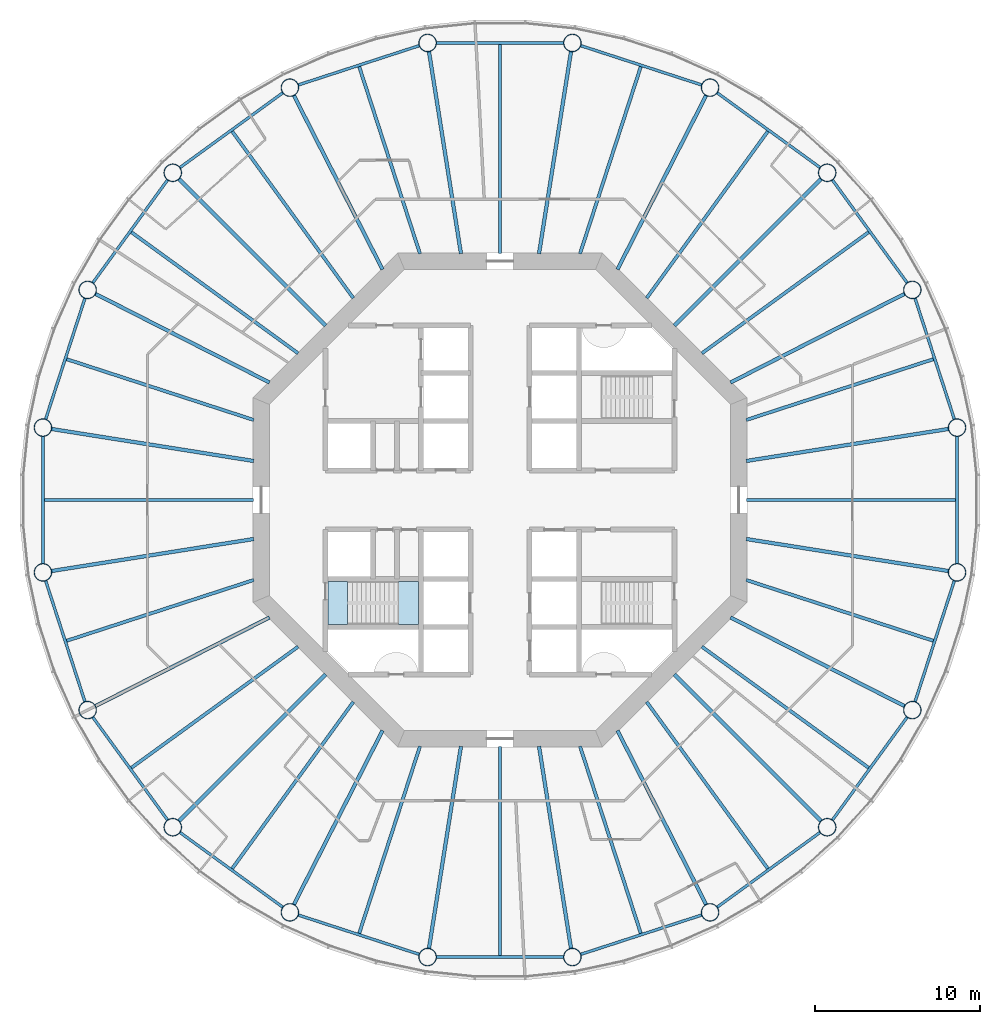
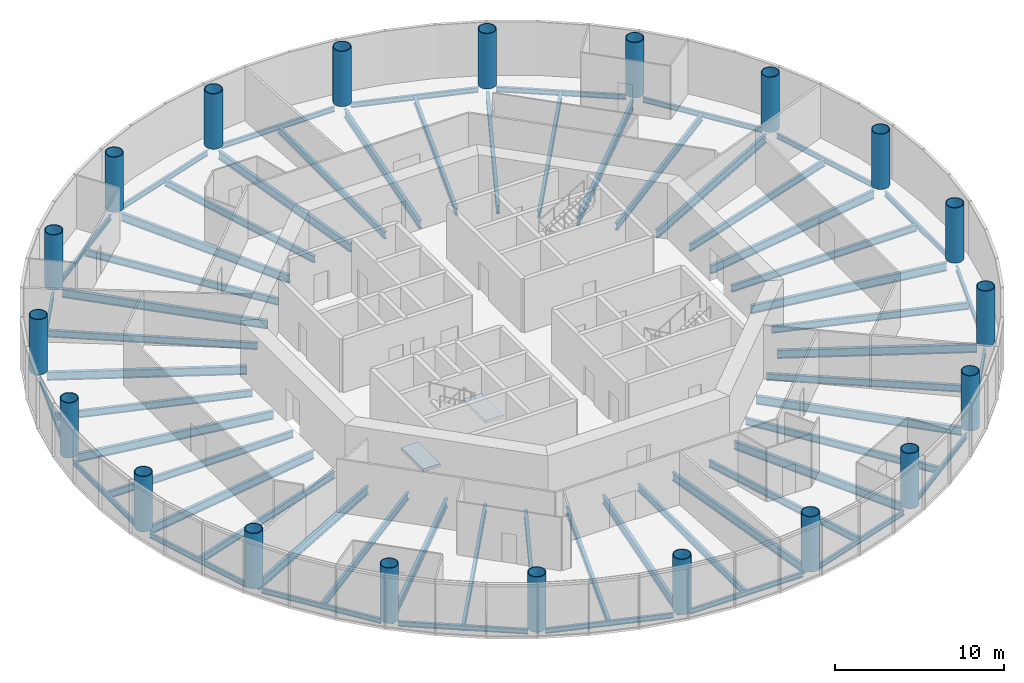
# One storey, part 1 of 13: 60 beams, 20 columns, 2 slabs, 1 element without a shape of its own.
"""IFC4 building model written with IfcOpenShell, lengths in metres."""

from ifc_helpers import new_model, si_unit, direction, frame, origin, origin_2d, place, context, subcontext, project, spatial, polyline, circle, hollow_circle, i_section, outline, extrude, material, layer, layer_set, material_profile, profile_set, type_object, element, aggregate, save


model = new_model("IFC4")

# Units and contexts
model_context = context("Model", 3, precision=1e-05, world=origin(), true_north=direction((0.0, 1.0)))
body_context = subcontext(model_context, "Body", "Model", "MODEL_VIEW")
ifc_project = project(units=[si_unit("LENGTHUNIT", "METRE"), si_unit("AREAUNIT", "SQUARE_METRE"), si_unit("VOLUMEUNIT", "CUBIC_METRE"), si_unit("PLANEANGLEUNIT", "RADIAN"), si_unit("MASSUNIT", "GRAM", prefix="KILO")], contexts=[model_context])

# Site, building, storey
site_placement = place(None, origin())
site = spatial("IfcSite", under=ifc_project, at=site_placement, CompositionType="ELEMENT")
building_placement = place(site_placement, origin())
building = spatial("IfcBuilding", under=site, at=building_placement, Name="Entoto Ring Tower", CompositionType="ELEMENT")
storey_placement = place(building_placement, frame((0.0, 0.0, 184.0)))
storey = spatial("IfcBuildingStorey", under=building, at=storey_placement, Name="L42", CompositionType="ELEMENT", Elevation=184.0)

# Columns
ifc_material_1 = material(Name="Steel S355", Category="steel")
ifc_material_profile_1 = material_profile(ifc_material_1, hollow_circle(Radius=0.550048828125, WallThickness=0.050048828125, at=origin_2d()), Name="CHS 1100 x 50")
ifc_material_2 = material(Name="Concrete C60/75", Category="concrete")
ifc_material_profile_2 = material_profile(ifc_material_2, circle(Radius=0.5, at=origin_2d()), Name="Concrete C60/75 infill")
ifc_profile_set_1 = profile_set([ifc_material_profile_1, ifc_material_profile_2], Name="Steel S355")
column_type = type_object("IfcColumnType", Name="Ring column 1100 x 50 concrete-filled tube", PredefinedType="COLUMN", material=ifc_profile_set_1)
for number, where, z_axis, x_axis, name in (
    (1, (117.754150390625, 84.395751953125, 0.0), (0.0, 0.0, 1.0), (1.0, 0.0, 0.0), "RC3 R01"),
    (2, (115.037353515625, 92.757080078125, 0.0), (0.0, 0.0, 1.0), (1.0, 0.0, 0.0), "RC3 R02"),
    (3, (109.86962890625, 99.86962890625, 0.0), (0.0, 0.0, 1.0), (1.0, 0.0, 0.0), "RC3 R03"),
    (4, (102.757080078125, 105.037353515625, 0.0), (0.0, 0.0, 1.0), (1.0, 0.0, 0.0), "RC3 R04"),
    (5, (94.395751953125, 107.754150390625, 0.0), (0.0, 0.0, 1.0), (1.0, 0.0, 0.0), "RC3 R05"),
    (6, (85.604248046875, 107.754150390625, 0.0), (0.0, 0.0, 1.0), (1.0, 0.0, 0.0), "RC3 R06"),
    (7, (77.242919921875, 105.037353515625, 0.0), (0.0, 0.0, 1.0), (1.0, 0.0, 0.0), "RC3 R07"),
    (8, (70.13037109375, 99.86962890625, 0.0), (0.0, 0.0, 1.0), (1.0, 0.0, 0.0), "RC3 R08"),
    (9, (64.962646484375, 92.757080078125, 0.0), (0.0, 0.0, 1.0), (1.0, 0.0, 0.0), "RC3 R09"),
    (10, (62.245849609375, 84.395751953125, 0.0), (0.0, 0.0, 1.0), (1.0, 0.0, 0.0), "RC3 R10"),
    (11, (62.245849609375, 75.604248046875, 0.0), (0.0, 0.0, 1.0), (1.0, 0.0, 0.0), "RC3 R11"),
    (12, (64.962646484375, 67.242919921875, 0.0), (0.0, 0.0, 1.0), (1.0, 0.0, 0.0), "RC3 R12"),
    (13, (70.13037109375, 60.13037109375, 0.0), (0.0, 0.0, 1.0), (1.0, 0.0, 0.0), "RC3 R13"),
    (14, (77.242919921875, 54.962646484375, 0.0), (0.0, 0.0, 1.0), (1.0, 0.0, 0.0), "RC3 R14"),
    (15, (85.604248046875, 52.245849609375, 0.0), (0.0, 0.0, 1.0), (1.0, 0.0, 0.0), "RC3 R15"),
    (16, (94.395751953125, 52.245849609375, 0.0), (0.0, 0.0, 1.0), (1.0, 0.0, 0.0), "RC3 R16"),
    (17, (102.757080078125, 54.962646484375, 0.0), (0.0, 0.0, 1.0), (1.0, 0.0, 0.0), "RC3 R17"),
    (18, (109.86962890625, 60.13037109375, 0.0), (0.0, 0.0, 1.0), (1.0, 0.0, 0.0), "RC3 R18"),
    (19, (115.037353515625, 67.242919921875, 0.0), (0.0, 0.0, 1.0), (1.0, 0.0, 0.0), "RC3 R19"),
    (20, (117.754150390625, 75.604248046875, 0.0), (0.0, 0.0, 1.0), (1.0, 0.0, 0.0), "RC3 R20"),
):
    element("IfcColumn", number, at=place(storey_placement, frame(where, z_axis=z_axis, x_axis=x_axis)), inside=storey, type_object=column_type, Name=name, PredefinedType="COLUMN", context=body_context, shape_type="SweptSolid", body=[
        extrude(hollow_circle(Radius=0.550048828125, WallThickness=0.050048828125, at=origin_2d()), origin(), (0.0, 0.0, 1.0), 4.0),
    ])

# Beams
ifc_material_3 = material(Name="Steel S355", Category="steel")
ifc_material_profile_3 = material_profile(ifc_material_3, i_section(OverallWidth=0.169921875, OverallDepth=0.360107421875, WebThickness=0.008056640625, FlangeThickness=0.0126953125, FilletRadius=0.01806640625, at=origin_2d()), Name="IPE 360")
ifc_profile_set_2 = profile_set([ifc_material_profile_3], Name="Steel S355")
beam_type_1 = type_object("IfcBeamType", Name="Edge beam IPE 360", PredefinedType="SPANDREL", material=ifc_profile_set_2)
for number, where, z_axis, x_axis, name in (
    (21, (117.59228515625, 84.8935546875, -0.330078125), (-0.309012656105, 0.951057925874, 0.0), (-0.951057925874, -0.309012656105, 0.0), "Edge beam L42 01"),
    (22, (114.729736328125, 93.180419921875, -0.330078125), (-0.587791153253, 0.809012707043, 0.0), (-0.809012707043, -0.587791153253, 0.0), "Edge beam L42 02"),
    (23, (109.4462890625, 100.17724609375, -0.330078125), (-0.809012707043, 0.587791153253, 0.0), (-0.587791153253, -0.809012707043, 0.0), "Edge beam L42 03"),
    (24, (102.259521484375, 105.198974609375, -0.330078125), (-0.951057925874, 0.309012656105, 0.0), (-0.309012656105, -0.951057925874, 0.0), "Edge beam L42 04"),
    (25, (93.87255859375, 107.754150390625, -0.330078125), (-1.0, 0.0, 0.0), (0.0, -1.0, 0.0), "Edge beam L42 05"),
    (26, (85.1064453125, 107.59228515625, -0.330078125), (-0.951057925874, -0.309012656105, 0.0), (0.309012656105, -0.951057925874, 0.0), "Edge beam L42 06"),
    (27, (76.819580078125, 104.729736328125, -0.330078125), (-0.809012707043, -0.587791153253, 0.0), (0.587791153253, -0.809012707043, 0.0), "Edge beam L42 07"),
    (28, (69.82275390625, 99.4462890625, -0.330078125), (-0.587791153253, -0.809012707043, 0.0), (0.809012707043, -0.587791153253, 0.0), "Edge beam L42 08"),
    (29, (64.801025390625, 92.259521484375, -0.330078125), (-0.309012656105, -0.951057925874, 0.0), (0.951057925874, -0.309012656105, 0.0), "Edge beam L42 09"),
    (30, (62.245849609375, 83.87255859375, -0.330078125), (0.0, -1.0, 0.0), (1.0, 0.0, 0.0), "Edge beam L42 10"),
    (31, (62.40771484375, 75.1064453125, -0.330078125), (0.309012656105, -0.951057925874, 0.0), (0.951057925874, 0.309012656105, 0.0), "Edge beam L42 11"),
    (32, (65.270263671875, 66.819580078125, -0.330078125), (0.587791153253, -0.809012707043, 0.0), (0.809012707043, 0.587791153253, 0.0), "Edge beam L42 12"),
    (33, (70.5537109375, 59.82275390625, -0.330078125), (0.809012707043, -0.587791153253, 0.0), (0.587791153253, 0.809012707043, 0.0), "Edge beam L42 13"),
    (34, (77.740478515625, 54.801025390625, -0.330078125), (0.951057925874, -0.309012656105, 0.0), (0.309012656105, 0.951057925874, 0.0), "Edge beam L42 14"),
    (35, (86.12744140625, 52.245849609375, -0.330078125), (1.0, 0.0, 0.0), (0.0, 1.0, 0.0), "Edge beam L42 15"),
    (36, (94.8935546875, 52.40771484375, -0.330078125), (0.951057925874, 0.309012656105, 0.0), (-0.309012656105, 0.951057925874, 0.0), "Edge beam L42 16"),
    (37, (103.180419921875, 55.270263671875, -0.330078125), (0.809012707043, 0.587791153253, 0.0), (-0.587791153253, 0.809012707043, 0.0), "Edge beam L42 17"),
    (38, (110.17724609375, 60.5537109375, -0.330078125), (0.587791153253, 0.809012707043, 0.0), (-0.809012707043, 0.587791153253, 0.0), "Edge beam L42 18"),
    (39, (115.198974609375, 67.740478515625, -0.330078125), (0.309012656105, 0.951057925874, 0.0), (-0.951057925874, 0.309012656105, 0.0), "Edge beam L42 19"),
    (40, (117.754150390625, 76.12744140625, -0.330078125), (0.0, 1.0, 0.0), (-1.0, 0.0, 0.0), "Edge beam L42 20"),
):
    element("IfcBeam", number, at=place(storey_placement, frame(where, z_axis=z_axis, x_axis=x_axis)), inside=storey, type_object=beam_type_1, Name=name, PredefinedType="SPANDREL", context=body_context, shape_type="SweptSolid", body=[
        extrude(i_section(OverallWidth=0.169921875, OverallDepth=0.360107421875, WebThickness=0.008056640625, FlangeThickness=0.0126953125, FilletRadius=0.01806640625, at=origin_2d()), origin(), (0.0, 0.0, 1.0), 7.7451171875),
    ])
ifc_material_4 = material(Name="Steel S355", Category="steel")
ifc_material_profile_4 = material_profile(ifc_material_4, i_section(OverallWidth=0.219970703125, OverallDepth=0.60009765625, WebThickness=0.011962890625, FlangeThickness=0.01904296875, FilletRadius=0.02392578125, at=origin_2d()), Name="IPE 600")
ifc_profile_set_3 = profile_set([ifc_material_profile_4], Name="Steel S355")
beam_type_2 = type_object("IfcBeamType", Name="Primary floor beam IPE 600", PredefinedType="BEAM", material=ifc_profile_set_3)
beam_1_placement = place(storey_placement, frame((104.963134765625, 82.369873046875, -0.449951171875), z_axis=(0.987687213789, 0.156441579247, 0.0), x_axis=(-0.156441579247, 0.987687213789, 0.0)))
element("IfcBeam", 41, at=beam_1_placement, inside=storey, type_object=beam_type_2, Name="Primary L42 R01", PredefinedType="BEAM", context=body_context, shape_type="SweptSolid", body=[
    extrude(i_section(OverallWidth=0.219970703125, OverallDepth=0.60009765625, WebThickness=0.011962890625, FlangeThickness=0.01904296875, FilletRadius=0.02392578125, at=origin_2d()), origin(), (0.0, 0.0, 1.0), 12.431640625),
])
beam_2_placement = place(storey_placement, frame((104.003173828125, 87.135009765625, -0.449951171875), z_axis=(0.891010444609, 0.453982805399, 0.0), x_axis=(-0.453982805399, 0.891010444609, 0.0)))
element("IfcBeam", 42, at=beam_2_placement, inside=storey, type_object=beam_type_2, Name="Primary L42 R02", PredefinedType="BEAM", context=body_context, shape_type="SweptSolid", body=[
    extrude(i_section(OverallWidth=0.219970703125, OverallDepth=0.60009765625, WebThickness=0.011962890625, FlangeThickness=0.01904296875, FilletRadius=0.02392578125, at=origin_2d()), origin(), (0.0, 0.0, 1.0), 11.864990234375),
])
beam_3_placement = place(storey_placement, frame((100.592529296875, 90.592529296875, -0.449951171875), z_axis=(0.707106781187, 0.707106781187, 0.0), x_axis=(-0.707106781187, 0.707106781187, 0.0)))
element("IfcBeam", 43, at=beam_3_placement, inside=storey, type_object=beam_type_2, Name="Primary L42 R03", PredefinedType="BEAM", context=body_context, shape_type="SweptSolid", body=[
    extrude(i_section(OverallWidth=0.219970703125, OverallDepth=0.60009765625, WebThickness=0.011962890625, FlangeThickness=0.01904296875, FilletRadius=0.02392578125, at=origin_2d()), origin(), (0.0, 0.0, 1.0), 12.601318359375),
])
beam_4_placement = place(storey_placement, frame((97.135009765625, 94.003173828125, -0.449951171875), z_axis=(0.453982805399, 0.891010444609, 0.0), x_axis=(-0.891010444609, 0.453982805399, 0.0)))
element("IfcBeam", 44, at=beam_4_placement, inside=storey, type_object=beam_type_2, Name="Primary L42 R04", PredefinedType="BEAM", context=body_context, shape_type="SweptSolid", body=[
    extrude(i_section(OverallWidth=0.219970703125, OverallDepth=0.60009765625, WebThickness=0.011962890625, FlangeThickness=0.01904296875, FilletRadius=0.02392578125, at=origin_2d()), origin(), (0.0, 0.0, 1.0), 11.864990234375),
])
for number, where, z_axis, x_axis, name in (
    (45, (92.369873046875, 94.963134765625, -0.449951171875), (0.156441579247, 0.987687213789, 0.0), (-0.987687213789, 0.156441579247, 0.0), "Primary L42 R05"),
    (46, (87.630126953125, 94.963134765625, -0.449951171875), (-0.156441579247, 0.987687213789, 0.0), (-0.987687213789, -0.156441579247, 0.0), "Primary L42 R06"),
):
    element("IfcBeam", number, at=place(storey_placement, frame(where, z_axis=z_axis, x_axis=x_axis)), inside=storey, type_object=beam_type_2, Name=name, PredefinedType="BEAM", context=body_context, shape_type="SweptSolid", body=[
        extrude(i_section(OverallWidth=0.219970703125, OverallDepth=0.60009765625, WebThickness=0.011962890625, FlangeThickness=0.01904296875, FilletRadius=0.02392578125, at=origin_2d()), origin(), (0.0, 0.0, 1.0), 12.431640625),
    ])
beam_5_placement = place(storey_placement, frame((82.864990234375, 94.003173828125, -0.449951171875), z_axis=(-0.453982805399, 0.891010444609, 0.0), x_axis=(-0.891010444609, -0.453982805399, 0.0)))
element("IfcBeam", 47, at=beam_5_placement, inside=storey, type_object=beam_type_2, Name="Primary L42 R07", PredefinedType="BEAM", context=body_context, shape_type="SweptSolid", body=[
    extrude(i_section(OverallWidth=0.219970703125, OverallDepth=0.60009765625, WebThickness=0.011962890625, FlangeThickness=0.01904296875, FilletRadius=0.02392578125, at=origin_2d()), origin(), (0.0, 0.0, 1.0), 11.864990234375),
])
beam_6_placement = place(storey_placement, frame((79.407470703125, 90.592529296875, -0.449951171875), z_axis=(-0.707106781187, 0.707106781187, 0.0), x_axis=(-0.707106781187, -0.707106781187, 0.0)))
element("IfcBeam", 48, at=beam_6_placement, inside=storey, type_object=beam_type_2, Name="Primary L42 R08", PredefinedType="BEAM", context=body_context, shape_type="SweptSolid", body=[
    extrude(i_section(OverallWidth=0.219970703125, OverallDepth=0.60009765625, WebThickness=0.011962890625, FlangeThickness=0.01904296875, FilletRadius=0.02392578125, at=origin_2d()), origin(), (0.0, 0.0, 1.0), 12.601318359375),
])
beam_7_placement = place(storey_placement, frame((75.996826171875, 87.135009765625, -0.449951171875), z_axis=(-0.891010444609, 0.453982805399, 0.0), x_axis=(-0.453982805399, -0.891010444609, 0.0)))
element("IfcBeam", 49, at=beam_7_placement, inside=storey, type_object=beam_type_2, Name="Primary L42 R09", PredefinedType="BEAM", context=body_context, shape_type="SweptSolid", body=[
    extrude(i_section(OverallWidth=0.219970703125, OverallDepth=0.60009765625, WebThickness=0.011962890625, FlangeThickness=0.01904296875, FilletRadius=0.02392578125, at=origin_2d()), origin(), (0.0, 0.0, 1.0), 11.864990234375),
])
for number, where, z_axis, x_axis, name in (
    (50, (75.036865234375, 82.369873046875, -0.449951171875), (-0.987687213789, 0.156441579247, 0.0), (-0.156441579247, -0.987687213789, 0.0), "Primary L42 R10"),
    (51, (75.036865234375, 77.630126953125, -0.449951171875), (-0.987687213789, -0.156441579247, 0.0), (0.156441579247, -0.987687213789, 0.0), "Primary L42 R11"),
):
    element("IfcBeam", number, at=place(storey_placement, frame(where, z_axis=z_axis, x_axis=x_axis)), inside=storey, type_object=beam_type_2, Name=name, PredefinedType="BEAM", context=body_context, shape_type="SweptSolid", body=[
        extrude(i_section(OverallWidth=0.219970703125, OverallDepth=0.60009765625, WebThickness=0.011962890625, FlangeThickness=0.01904296875, FilletRadius=0.02392578125, at=origin_2d()), origin(), (0.0, 0.0, 1.0), 12.431640625),
    ])
beam_8_placement = place(storey_placement, frame((75.996826171875, 72.864990234375, -0.449951171875), z_axis=(-0.891010444609, -0.453982805399, 0.0), x_axis=(0.453982805399, -0.891010444609, 0.0)))
element("IfcBeam", 52, at=beam_8_placement, inside=storey, type_object=beam_type_2, Name="Primary L42 R12", PredefinedType="BEAM", context=body_context, shape_type="SweptSolid", body=[
    extrude(i_section(OverallWidth=0.219970703125, OverallDepth=0.60009765625, WebThickness=0.011962890625, FlangeThickness=0.01904296875, FilletRadius=0.02392578125, at=origin_2d()), origin(), (0.0, 0.0, 1.0), 11.864990234375),
])
beam_9_placement = place(storey_placement, frame((79.407470703125, 69.407470703125, -0.449951171875), z_axis=(-0.707106781187, -0.707106781187, 0.0), x_axis=(0.707106781187, -0.707106781187, 0.0)))
element("IfcBeam", 53, at=beam_9_placement, inside=storey, type_object=beam_type_2, Name="Primary L42 R13", PredefinedType="BEAM", context=body_context, shape_type="SweptSolid", body=[
    extrude(i_section(OverallWidth=0.219970703125, OverallDepth=0.60009765625, WebThickness=0.011962890625, FlangeThickness=0.01904296875, FilletRadius=0.02392578125, at=origin_2d()), origin(), (0.0, 0.0, 1.0), 12.601318359375),
])
beam_10_placement = place(storey_placement, frame((82.864990234375, 65.996826171875, -0.449951171875), z_axis=(-0.453982805399, -0.891010444609, 0.0), x_axis=(0.891010444609, -0.453982805399, 0.0)))
element("IfcBeam", 54, at=beam_10_placement, inside=storey, type_object=beam_type_2, Name="Primary L42 R14", PredefinedType="BEAM", context=body_context, shape_type="SweptSolid", body=[
    extrude(i_section(OverallWidth=0.219970703125, OverallDepth=0.60009765625, WebThickness=0.011962890625, FlangeThickness=0.01904296875, FilletRadius=0.02392578125, at=origin_2d()), origin(), (0.0, 0.0, 1.0), 11.864990234375),
])
for number, where, z_axis, x_axis, name in (
    (55, (87.630126953125, 65.036865234375, -0.449951171875), (-0.156441579247, -0.987687213789, 0.0), (0.987687213789, -0.156441579247, 0.0), "Primary L42 R15"),
    (56, (92.369873046875, 65.036865234375, -0.449951171875), (0.156441579247, -0.987687213789, 0.0), (0.987687213789, 0.156441579247, 0.0), "Primary L42 R16"),
):
    element("IfcBeam", number, at=place(storey_placement, frame(where, z_axis=z_axis, x_axis=x_axis)), inside=storey, type_object=beam_type_2, Name=name, PredefinedType="BEAM", context=body_context, shape_type="SweptSolid", body=[
        extrude(i_section(OverallWidth=0.219970703125, OverallDepth=0.60009765625, WebThickness=0.011962890625, FlangeThickness=0.01904296875, FilletRadius=0.02392578125, at=origin_2d()), origin(), (0.0, 0.0, 1.0), 12.431640625),
    ])
beam_11_placement = place(storey_placement, frame((97.135009765625, 65.996826171875, -0.449951171875), z_axis=(0.453982805399, -0.891010444609, 0.0), x_axis=(0.891010444609, 0.453982805399, 0.0)))
element("IfcBeam", 57, at=beam_11_placement, inside=storey, type_object=beam_type_2, Name="Primary L42 R17", PredefinedType="BEAM", context=body_context, shape_type="SweptSolid", body=[
    extrude(i_section(OverallWidth=0.219970703125, OverallDepth=0.60009765625, WebThickness=0.011962890625, FlangeThickness=0.01904296875, FilletRadius=0.02392578125, at=origin_2d()), origin(), (0.0, 0.0, 1.0), 11.864990234375),
])
beam_12_placement = place(storey_placement, frame((100.592529296875, 69.407470703125, -0.449951171875), z_axis=(0.707106781187, -0.707106781187, 0.0), x_axis=(0.707106781187, 0.707106781187, 0.0)))
element("IfcBeam", 58, at=beam_12_placement, inside=storey, type_object=beam_type_2, Name="Primary L42 R18", PredefinedType="BEAM", context=body_context, shape_type="SweptSolid", body=[
    extrude(i_section(OverallWidth=0.219970703125, OverallDepth=0.60009765625, WebThickness=0.011962890625, FlangeThickness=0.01904296875, FilletRadius=0.02392578125, at=origin_2d()), origin(), (0.0, 0.0, 1.0), 12.601318359375),
])
beam_13_placement = place(storey_placement, frame((104.003173828125, 72.864990234375, -0.449951171875), z_axis=(0.891010444609, -0.453982805399, 0.0), x_axis=(0.453982805399, 0.891010444609, 0.0)))
element("IfcBeam", 59, at=beam_13_placement, inside=storey, type_object=beam_type_2, Name="Primary L42 R19", PredefinedType="BEAM", context=body_context, shape_type="SweptSolid", body=[
    extrude(i_section(OverallWidth=0.219970703125, OverallDepth=0.60009765625, WebThickness=0.011962890625, FlangeThickness=0.01904296875, FilletRadius=0.02392578125, at=origin_2d()), origin(), (0.0, 0.0, 1.0), 11.864990234375),
])
beam_14_placement = place(storey_placement, frame((104.963134765625, 77.630126953125, -0.449951171875), z_axis=(0.987687213789, -0.156441579247, 0.0), x_axis=(0.156441579247, 0.987687213789, 0.0)))
element("IfcBeam", 60, at=beam_14_placement, inside=storey, type_object=beam_type_2, Name="Primary L42 R20", PredefinedType="BEAM", context=body_context, shape_type="SweptSolid", body=[
    extrude(i_section(OverallWidth=0.219970703125, OverallDepth=0.60009765625, WebThickness=0.011962890625, FlangeThickness=0.01904296875, FilletRadius=0.02392578125, at=origin_2d()), origin(), (0.0, 0.0, 1.0), 12.431640625),
])
ifc_material_5 = material(Name="Steel S355", Category="steel")
ifc_material_profile_5 = material_profile(ifc_material_5, i_section(OverallWidth=0.199951171875, OverallDepth=0.5, WebThickness=0.01025390625, FlangeThickness=0.01611328125, FilletRadius=0.02099609375, at=origin_2d()), Name="IPE 500")
ifc_profile_set_4 = profile_set([ifc_material_profile_5], Name="Steel S355")
beam_type_3 = type_object("IfcBeamType", Name="Secondary floor beam IPE 500", PredefinedType="JOIST", material=ifc_profile_set_4)
beam_15_placement = place(storey_placement, frame((104.9501953125, 84.857666015625, -0.39990234375), z_axis=(0.951056587506, 0.30901677521, 0.0), x_axis=(-0.30901677521, 0.951056587506, 0.0)))
element("IfcBeam", 61, at=beam_15_placement, inside=storey, type_object=beam_type_3, Name="Secondary beam L42 01", PredefinedType="JOIST", context=body_context, shape_type="SweptSolid", body=[
    extrude(i_section(OverallWidth=0.199951171875, OverallDepth=0.5, WebThickness=0.01025390625, FlangeThickness=0.01611328125, FilletRadius=0.02099609375, at=origin_2d()), origin(), (0.0, 0.0, 1.0), 11.94970703125),
])
for number, where, z_axis, x_axis, name in (
    (62, (102.257568359375, 88.905517578125, -0.39990234375), (0.80901431041, 0.587788946436, 0.0), (-0.587788946436, 0.80901431041, 0.0), "Secondary beam L42 02"),
    (63, (98.905517578125, 92.257568359375, -0.39990234375), (0.587788946436, 0.80901431041, 0.0), (-0.80901431041, 0.587788946436, 0.0), "Secondary beam L42 03"),
):
    element("IfcBeam", number, at=place(storey_placement, frame(where, z_axis=z_axis, x_axis=x_axis)), inside=storey, type_object=beam_type_3, Name=name, PredefinedType="JOIST", context=body_context, shape_type="SweptSolid", body=[
        extrude(i_section(OverallWidth=0.199951171875, OverallDepth=0.5, WebThickness=0.01025390625, FlangeThickness=0.01611328125, FilletRadius=0.02099609375, at=origin_2d()), origin(), (0.0, 0.0, 1.0), 12.51806640625),
    ])
beam_16_placement = place(storey_placement, frame((94.857666015625, 94.9501953125, -0.39990234375), z_axis=(0.30901677521, 0.951056587506, 0.0), x_axis=(-0.951056587506, 0.30901677521, 0.0)))
element("IfcBeam", 64, at=beam_16_placement, inside=storey, type_object=beam_type_3, Name="Secondary beam L42 04", PredefinedType="JOIST", context=body_context, shape_type="SweptSolid", body=[
    extrude(i_section(OverallWidth=0.199951171875, OverallDepth=0.5, WebThickness=0.01025390625, FlangeThickness=0.01611328125, FilletRadius=0.02099609375, at=origin_2d()), origin(), (0.0, 0.0, 1.0), 11.94970703125),
])
beam_17_placement = place(storey_placement, frame((90.0, 94.97998046875, -0.39990234375), z_axis=(0.0, 1.0, 0.0), x_axis=(-1.0, 0.0, 0.0)))
element("IfcBeam", 65, at=beam_17_placement, inside=storey, type_object=beam_type_3, Name="Secondary beam L42 05", PredefinedType="JOIST", context=body_context, shape_type="SweptSolid", body=[
    extrude(i_section(OverallWidth=0.199951171875, OverallDepth=0.5, WebThickness=0.01025390625, FlangeThickness=0.01611328125, FilletRadius=0.02099609375, at=origin_2d()), origin(), (0.0, 0.0, 1.0), 12.68896484375),
])
beam_18_placement = place(storey_placement, frame((85.142333984375, 94.9501953125, -0.39990234375), z_axis=(-0.30901677521, 0.951056587506, 0.0), x_axis=(-0.951056587506, -0.30901677521, 0.0)))
element("IfcBeam", 66, at=beam_18_placement, inside=storey, type_object=beam_type_3, Name="Secondary beam L42 06", PredefinedType="JOIST", context=body_context, shape_type="SweptSolid", body=[
    extrude(i_section(OverallWidth=0.199951171875, OverallDepth=0.5, WebThickness=0.01025390625, FlangeThickness=0.01611328125, FilletRadius=0.02099609375, at=origin_2d()), origin(), (0.0, 0.0, 1.0), 11.94970703125),
])
for number, where, z_axis, x_axis, name in (
    (67, (81.094482421875, 92.257568359375, -0.39990234375), (-0.587788946436, 0.80901431041, 0.0), (-0.80901431041, -0.587788946436, 0.0), "Secondary beam L42 07"),
    (68, (77.742431640625, 88.905517578125, -0.39990234375), (-0.80901431041, 0.587788946436, 0.0), (-0.587788946436, -0.80901431041, 0.0), "Secondary beam L42 08"),
):
    element("IfcBeam", number, at=place(storey_placement, frame(where, z_axis=z_axis, x_axis=x_axis)), inside=storey, type_object=beam_type_3, Name=name, PredefinedType="JOIST", context=body_context, shape_type="SweptSolid", body=[
        extrude(i_section(OverallWidth=0.199951171875, OverallDepth=0.5, WebThickness=0.01025390625, FlangeThickness=0.01611328125, FilletRadius=0.02099609375, at=origin_2d()), origin(), (0.0, 0.0, 1.0), 12.51806640625),
    ])
beam_19_placement = place(storey_placement, frame((75.0498046875, 84.857666015625, -0.39990234375), z_axis=(-0.951056587506, 0.30901677521, 0.0), x_axis=(-0.30901677521, -0.951056587506, 0.0)))
element("IfcBeam", 69, at=beam_19_placement, inside=storey, type_object=beam_type_3, Name="Secondary beam L42 09", PredefinedType="JOIST", context=body_context, shape_type="SweptSolid", body=[
    extrude(i_section(OverallWidth=0.199951171875, OverallDepth=0.5, WebThickness=0.01025390625, FlangeThickness=0.01611328125, FilletRadius=0.02099609375, at=origin_2d()), origin(), (0.0, 0.0, 1.0), 11.94970703125),
])
beam_20_placement = place(storey_placement, frame((75.02001953125, 80.0, -0.39990234375), z_axis=(-1.0, 0.0, 0.0), x_axis=(0.0, -1.0, 0.0)))
element("IfcBeam", 70, at=beam_20_placement, inside=storey, type_object=beam_type_3, Name="Secondary beam L42 10", PredefinedType="JOIST", context=body_context, shape_type="SweptSolid", body=[
    extrude(i_section(OverallWidth=0.199951171875, OverallDepth=0.5, WebThickness=0.01025390625, FlangeThickness=0.01611328125, FilletRadius=0.02099609375, at=origin_2d()), origin(), (0.0, 0.0, 1.0), 12.68896484375),
])
beam_21_placement = place(storey_placement, frame((75.0498046875, 75.142333984375, -0.39990234375), z_axis=(-0.951056587506, -0.30901677521, 0.0), x_axis=(0.30901677521, -0.951056587506, 0.0)))
element("IfcBeam", 71, at=beam_21_placement, inside=storey, type_object=beam_type_3, Name="Secondary beam L42 11", PredefinedType="JOIST", context=body_context, shape_type="SweptSolid", body=[
    extrude(i_section(OverallWidth=0.199951171875, OverallDepth=0.5, WebThickness=0.01025390625, FlangeThickness=0.01611328125, FilletRadius=0.02099609375, at=origin_2d()), origin(), (0.0, 0.0, 1.0), 11.94970703125),
])
for number, where, z_axis, x_axis, name in (
    (72, (77.742431640625, 71.094482421875, -0.39990234375), (-0.80901431041, -0.587788946436, 0.0), (0.587788946436, -0.80901431041, 0.0), "Secondary beam L42 12"),
    (73, (81.094482421875, 67.742431640625, -0.39990234375), (-0.587788946436, -0.80901431041, 0.0), (0.80901431041, -0.587788946436, 0.0), "Secondary beam L42 13"),
):
    element("IfcBeam", number, at=place(storey_placement, frame(where, z_axis=z_axis, x_axis=x_axis)), inside=storey, type_object=beam_type_3, Name=name, PredefinedType="JOIST", context=body_context, shape_type="SweptSolid", body=[
        extrude(i_section(OverallWidth=0.199951171875, OverallDepth=0.5, WebThickness=0.01025390625, FlangeThickness=0.01611328125, FilletRadius=0.02099609375, at=origin_2d()), origin(), (0.0, 0.0, 1.0), 12.51806640625),
    ])
beam_22_placement = place(storey_placement, frame((85.142333984375, 65.0498046875, -0.39990234375), z_axis=(-0.30901677521, -0.951056587506, 0.0), x_axis=(0.951056587506, -0.30901677521, 0.0)))
element("IfcBeam", 74, at=beam_22_placement, inside=storey, type_object=beam_type_3, Name="Secondary beam L42 14", PredefinedType="JOIST", context=body_context, shape_type="SweptSolid", body=[
    extrude(i_section(OverallWidth=0.199951171875, OverallDepth=0.5, WebThickness=0.01025390625, FlangeThickness=0.01611328125, FilletRadius=0.02099609375, at=origin_2d()), origin(), (0.0, 0.0, 1.0), 11.94970703125),
])
beam_23_placement = place(storey_placement, frame((90.0, 65.02001953125, -0.39990234375), z_axis=(0.0, -1.0, 0.0), x_axis=(1.0, 0.0, 0.0)))
element("IfcBeam", 75, at=beam_23_placement, inside=storey, type_object=beam_type_3, Name="Secondary beam L42 15", PredefinedType="JOIST", context=body_context, shape_type="SweptSolid", body=[
    extrude(i_section(OverallWidth=0.199951171875, OverallDepth=0.5, WebThickness=0.01025390625, FlangeThickness=0.01611328125, FilletRadius=0.02099609375, at=origin_2d()), origin(), (0.0, 0.0, 1.0), 12.68896484375),
])
beam_24_placement = place(storey_placement, frame((94.857666015625, 65.0498046875, -0.39990234375), z_axis=(0.30901677521, -0.951056587506, 0.0), x_axis=(0.951056587506, 0.30901677521, 0.0)))
element("IfcBeam", 76, at=beam_24_placement, inside=storey, type_object=beam_type_3, Name="Secondary beam L42 16", PredefinedType="JOIST", context=body_context, shape_type="SweptSolid", body=[
    extrude(i_section(OverallWidth=0.199951171875, OverallDepth=0.5, WebThickness=0.01025390625, FlangeThickness=0.01611328125, FilletRadius=0.02099609375, at=origin_2d()), origin(), (0.0, 0.0, 1.0), 11.94970703125),
])
for number, where, z_axis, x_axis, name in (
    (77, (98.905517578125, 67.742431640625, -0.39990234375), (0.587788946436, -0.80901431041, 0.0), (0.80901431041, 0.587788946436, 0.0), "Secondary beam L42 17"),
    (78, (102.257568359375, 71.094482421875, -0.39990234375), (0.80901431041, -0.587788946436, 0.0), (0.587788946436, 0.80901431041, 0.0), "Secondary beam L42 18"),
):
    element("IfcBeam", number, at=place(storey_placement, frame(where, z_axis=z_axis, x_axis=x_axis)), inside=storey, type_object=beam_type_3, Name=name, PredefinedType="JOIST", context=body_context, shape_type="SweptSolid", body=[
        extrude(i_section(OverallWidth=0.199951171875, OverallDepth=0.5, WebThickness=0.01025390625, FlangeThickness=0.01611328125, FilletRadius=0.02099609375, at=origin_2d()), origin(), (0.0, 0.0, 1.0), 12.51806640625),
    ])
beam_25_placement = place(storey_placement, frame((104.9501953125, 75.142333984375, -0.39990234375), z_axis=(0.951056587506, -0.30901677521, 0.0), x_axis=(0.30901677521, 0.951056587506, 0.0)))
element("IfcBeam", 79, at=beam_25_placement, inside=storey, type_object=beam_type_3, Name="Secondary beam L42 19", PredefinedType="JOIST", context=body_context, shape_type="SweptSolid", body=[
    extrude(i_section(OverallWidth=0.199951171875, OverallDepth=0.5, WebThickness=0.01025390625, FlangeThickness=0.01611328125, FilletRadius=0.02099609375, at=origin_2d()), origin(), (0.0, 0.0, 1.0), 11.94970703125),
])
beam_26_placement = place(storey_placement, frame((104.97998046875, 80.0, -0.39990234375), z_axis=(1.0, 0.0, 0.0), x_axis=(0.0, 1.0, 0.0)))
element("IfcBeam", 80, at=beam_26_placement, inside=storey, type_object=beam_type_3, Name="Secondary beam L42 20", PredefinedType="JOIST", context=body_context, shape_type="SweptSolid", body=[
    extrude(i_section(OverallWidth=0.199951171875, OverallDepth=0.5, WebThickness=0.01025390625, FlangeThickness=0.01611328125, FilletRadius=0.02099609375, at=origin_2d()), origin(), (0.0, 0.0, 1.0), 12.68896484375),
])

# Stair, slabs
ifc_material_6 = material(Name="Concrete C40/50", Category="concrete")
stair_type = type_object("IfcStairType", Name="Exit stair 1200 mm dog-leg reinforced concrete", PredefinedType="HALF_TURN_STAIR", material=ifc_material_6)
stair_placement = place(storey_placement, origin())
stair = element("IfcStair", 81, at=stair_placement, inside=storey, type_object=stair_type, Name="Exit stair 2", PredefinedType="HALF_TURN_STAIR")
ifc_material_7 = material(Name="Concrete C40/50", Category="concrete")
ifc_layer = layer(ifc_material_7, 0.199951171875)
ifc_layer_set = layer_set([ifc_layer], Name="Concrete C40/50")
slab_type = type_object("IfcSlabType", Name="Stair landing 200 mm reinforced concrete", PredefinedType="LANDING", material=ifc_layer_set)
slab_1_placement = place(storey_placement, frame((0.0, 0.0, -0.199951171875)))
slab_1 = element("IfcSlab", 82, at=slab_1_placement, type_object=slab_type, Name="ST2 landing 1", PredefinedType="LANDING", context=body_context, shape_type="SweptSolid", body=[
    extrude(outline(polyline([(80.75, 72.449951171875), (80.75, 75.050048828125), (79.550048828125, 75.050048828125), (79.550048828125, 72.449951171875), (80.75, 72.449951171875)])), origin(), (0.0, 0.0, 1.0), 0.199951171875),
])
slab_2_placement = place(storey_placement, frame((0.0, 0.0, 1.800048828125)))
slab_2 = element("IfcSlab", 83, at=slab_2_placement, type_object=slab_type, Name="ST2 landing 2", PredefinedType="LANDING", context=body_context, shape_type="SweptSolid", body=[
    extrude(outline(polyline([(83.830078125, 72.449951171875), (85.050048828125, 72.449951171875), (85.050048828125, 75.050048828125), (83.830078125, 75.050048828125), (83.830078125, 72.449951171875)])), origin(), (0.0, 0.0, 1.0), 0.199951171875),
])
aggregate(stair, [slab_1, slab_2])

save(model, "model.ifc")
